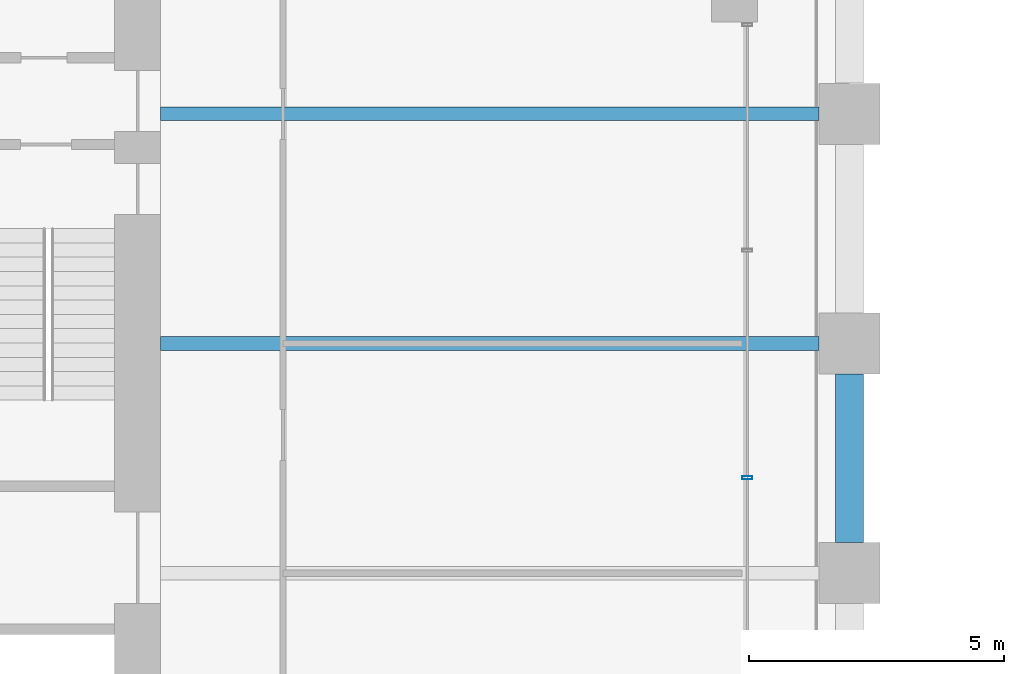
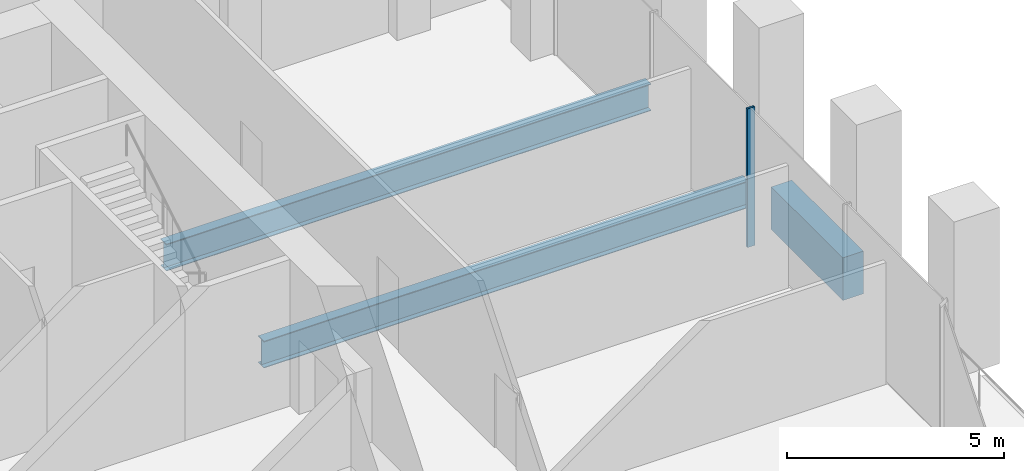
# One storey, part 11 of 36: 3 beams, 1 member, 1 element without a shape of its own.
"""IFC4 building model written with IfcOpenShell, lengths in metres."""

from ifc_helpers import new_model, si_unit, direction, frame, origin, origin_2d, place, context, subcontext, project, spatial, rectangle, hollow_rectangle, i_section, extrude, material, material_profile, profile_set, type_object, element, aggregate, save


model = new_model("IFC4")

# Units and contexts
model_context = context("Model", 3, precision=1e-05, world=origin(), true_north=direction((0.0, 1.0)))
body_context = subcontext(model_context, "Body", "Model", "MODEL_VIEW")
ifc_project = project(units=[si_unit("LENGTHUNIT", "METRE"), si_unit("AREAUNIT", "SQUARE_METRE"), si_unit("VOLUMEUNIT", "CUBIC_METRE"), si_unit("PLANEANGLEUNIT", "RADIAN"), si_unit("MASSUNIT", "GRAM", prefix="KILO")], contexts=[model_context])

# Site, building, storey
site_placement = place(None, origin())
site = spatial("IfcSite", under=ifc_project, at=site_placement, CompositionType="ELEMENT")
building_placement = place(site_placement, origin())
building = spatial("IfcBuilding", under=site, at=building_placement, Name="Altepetl Exchange Towers", CompositionType="ELEMENT")
storey_placement = place(building_placement, frame((0.0, 0.0, 38.60009765625)))
storey = spatial("IfcBuildingStorey", under=building, at=storey_placement, Name="L08", CompositionType="ELEMENT", Elevation=38.60009765625)

# Beams
ifc_material_1 = material(Name="Steel S355", Category="steel")
ifc_material_profile_1 = material_profile(ifc_material_1, i_section(OverallWidth=0.26611328125, OverallDepth=0.758056640625, WebThickness=0.013916015625, FlangeThickness=0.019287109375, at=origin_2d()), Name="W30X108")
ifc_profile_set_1 = profile_set([ifc_material_profile_1], Name="Steel S355")
beam_type_1 = type_object("IfcBeamType", Name="Floor beam W30X108", PredefinedType="BEAM", material=ifc_profile_set_1)
for number, where, z_axis, x_axis, name in (
    (1, (58.5, 49.5, -0.55419921875), (1.0, 0.0, 0.0), (0.0, 1.0, 0.0), "bm:A:L08:010"),
    (2, (58.5, 54.0, -0.55419921875), (1.0, 0.0, 0.0), (0.0, 1.0, 0.0), "bm:A:L08:011"),
):
    element("IfcBeam", number, at=place(storey_placement, frame(where, z_axis=z_axis, x_axis=x_axis)), inside=storey, type_object=beam_type_1, Name=name, PredefinedType="BEAM", context=body_context, shape_type="SweptSolid", body=[
        extrude(i_section(OverallWidth=0.26611328125, OverallDepth=0.758056640625, WebThickness=0.013916015625, FlangeThickness=0.019287109375, at=origin_2d()), origin(), (0.0, 0.0, 1.0), 12.89990234375),
    ])

# Curtain wall, member
ifc_material_2 = material(Name="Aluminium 6063-T6 glazing", Category="aluminium")
curtain_wall_type = type_object("IfcCurtainWallType", Name="Trading floor glazing system", PredefinedType="NOTDEFINED", material=ifc_material_2)
curtain_wall_placement = place(storey_placement, origin())
curtain_wall = element("IfcCurtainWall", 3, at=curtain_wall_placement, inside=storey, type_object=curtain_wall_type, Name="CW2 run", PredefinedType="NOTDEFINED")
ifc_material_3 = material(Name="Aluminium 6063-T6", Category="aluminium")
ifc_material_profile_2 = material_profile(ifc_material_3, hollow_rectangle(XDim=0.06005859375, YDim=0.199951171875, WallThickness=0.0029296875, at=origin_2d()), Name="Mullion 60x200 aluminium")
ifc_profile_set_2 = profile_set([ifc_material_profile_2], Name="Aluminium 6063-T6")
member_type = type_object("IfcMemberType", Name="Mullion 60x200 aluminium", PredefinedType="MULLION", material=ifc_profile_set_2)
member_placement = place(storey_placement, frame((70.0, 46.867919921875, 0.0), z_axis=(0.0, 0.0, 1.0), x_axis=(0.0, 1.0, 0.0)))
member = element("IfcMember", 4, at=member_placement, type_object=member_type, Name="MU2 mullion", PredefinedType="MULLION", context=body_context, shape_type="SweptSolid", body=[
    extrude(hollow_rectangle(XDim=0.06005859375, YDim=0.199951171875, WallThickness=0.0029296875, at=origin_2d()), origin(), (0.0, 0.0, 1.0), 3.89990234375),
])
aggregate(curtain_wall, [member])

# Beam
ifc_material_4 = material(Name="Concrete C50/60 precast with cantera amarilla facing", Category="concrete")
ifc_material_profile_3 = material_profile(ifc_material_4, rectangle(XDim=0.550048828125, YDim=1.199951171875, at=origin_2d()), Name="550 x 1200")
ifc_profile_set_3 = profile_set([ifc_material_profile_3], Name="Concrete C50/60 precast with cantera amarilla facing")
beam_type_2 = type_object("IfcBeamType", Name="Spandrel beam 550x1200 cantera amarilla", PredefinedType="SPANDREL", material=ifc_profile_set_3)
beam_placement = place(storey_placement, frame((72.0, 45.60009765625, -0.775146484375), z_axis=(0.0, 1.0, 0.0), x_axis=(-1.0, 0.0, 0.0)))
element("IfcBeam", 5, at=beam_placement, inside=storey, type_object=beam_type_2, Name="sp:A:L08:015", PredefinedType="SPANDREL", context=body_context, shape_type="SweptSolid", body=[
    extrude(rectangle(XDim=0.550048828125, YDim=1.199951171875, at=origin_2d()), origin(), (0.0, 0.0, 1.0), 3.2998046875),
])

save(model, "model.ifc")
